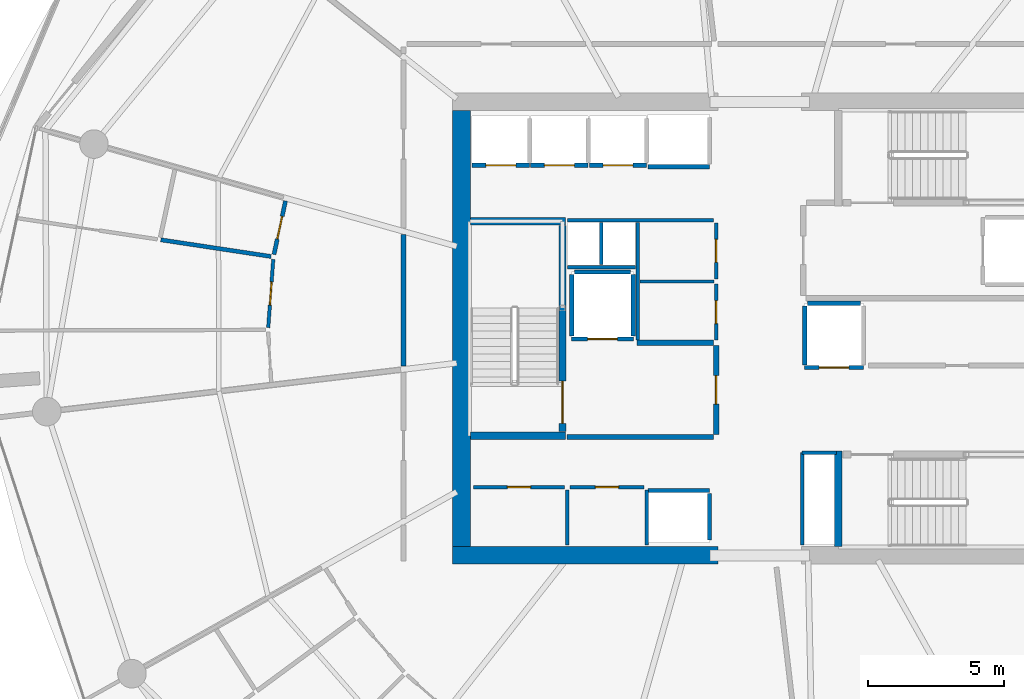
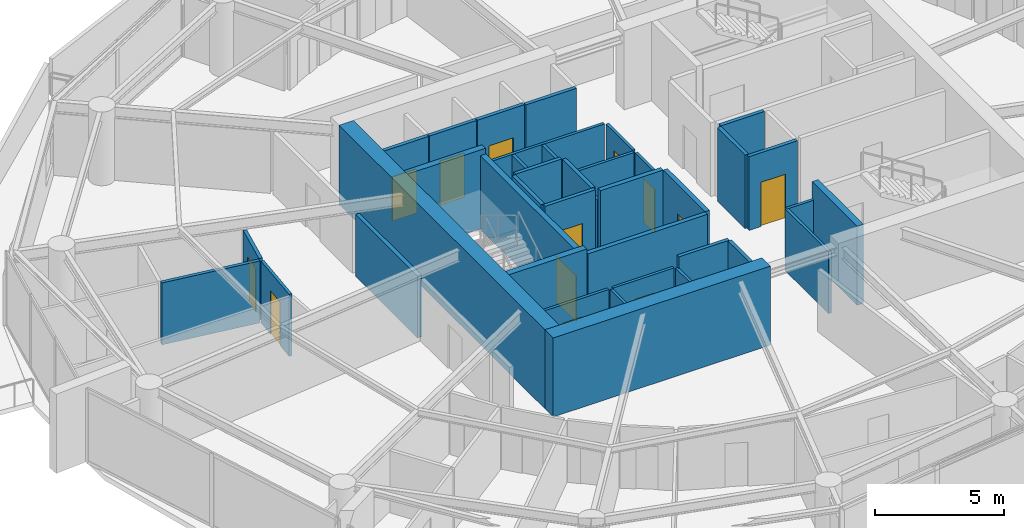
# One storey, part 12 of 20: 39 walls, 13 doors, 13 openings.
"""IFC4 building model written with IfcOpenShell, lengths in metres."""

from ifc_helpers import new_model, si_unit, direction, frame, frame_2d, origin, place, context, subcontext, project, spatial, rectangle, extrude, material, layer, layer_set, type_object, element, fill, save


model = new_model("IFC4")

# Units and contexts
model_context = context("Model", 3, precision=1e-05, world=origin(), true_north=direction((0.0, 1.0)))
body_context = subcontext(model_context, "Body", "Model", "MODEL_VIEW")
ifc_project = project(units=[si_unit("LENGTHUNIT", "METRE"), si_unit("AREAUNIT", "SQUARE_METRE"), si_unit("VOLUMEUNIT", "CUBIC_METRE"), si_unit("PLANEANGLEUNIT", "RADIAN"), si_unit("MASSUNIT", "GRAM", prefix="KILO")], contexts=[model_context])

# Site, building, storey
site_placement = place(None, origin())
site = spatial("IfcSite", under=ifc_project, at=site_placement, CompositionType="ELEMENT")
building_placement = place(site_placement, origin())
building = spatial("IfcBuilding", under=site, at=building_placement, Name="Kazma Halo Residences", CompositionType="ELEMENT")
storey_placement = place(building_placement, frame((0.0, 0.0, 210.300048828125)))
storey = spatial("IfcBuildingStorey", under=building, at=storey_placement, Name="L53", CompositionType="ELEMENT", Elevation=210.300048828125)

# Walls
ifc_material_1 = material(Name="Concrete C60/75", Category="concrete")
ifc_layer_1 = layer(ifc_material_1, 0.64990234375)
ifc_layer_set_1 = layer_set([ifc_layer_1], Name="Concrete C60/75")
wall_type_1 = type_object("IfcWallType", Name="WL-CORE-650", PredefinedType="SHEAR", material=ifc_layer_set_1)
wall_1_placement = place(storey_placement, frame((37.14990234375, 33.675048828125, 0.0), z_axis=(0.0, 0.0, 1.0), x_axis=(1.0, 0.0, 0.0)))
element("IfcWall", 1, at=wall_1_placement, inside=storey, type_object=wall_type_1, Name="L53 central core shear wall SW", PredefinedType="SHEAR", context=body_context, shape_type="SweptSolid", body=[
    extrude(rectangle(XDim=9.75, YDim=0.64990234375, at=frame_2d((4.875, 0.0))), origin(), (0.0, 0.0, 1.0), 3.75),
])
wall_2_placement = place(storey_placement, frame((37.47509765625, 34.0, 0.0), z_axis=(0.0, 0.0, 1.0), x_axis=(0.0, 1.0, 0.0)))
element("IfcWall", 2, at=wall_2_placement, inside=storey, type_object=wall_type_1, Name="L53 central core shear wall W", PredefinedType="SHEAR", context=body_context, shape_type="SweptSolid", body=[
    extrude(rectangle(XDim=16.0, YDim=0.64990234375, at=frame_2d((8.0, 0.0))), origin(), (0.0, 0.0, 1.0), 3.75),
])
ifc_layer_2 = layer(ifc_material_1, 0.280029296875)
ifc_layer_set_2 = layer_set([ifc_layer_2], Name="Concrete C60/75")
wall_type_2 = type_object("IfcWallType", Name="WL-CORE-ST-280", PredefinedType="SHEAR", material=ifc_layer_set_2)
for number, where, z_axis, x_axis, name in (
    (3, (37.800048828125, 38.06005859375, 0.0), (0.0, 0.0, 1.0), (1.0, 0.0, 0.0), "L53 stairwell bearing wall ST01-S"),
    (4, (37.800048828125, 45.93994140625, 0.0), (0.0, 0.0, 1.0), (1.0, 0.0, 0.0), "L53 stairwell bearing wall ST01-N"),
    (5, (51.31005859375, 34.0, 0.0), (0.0, 0.0, 1.0), (0.0, 1.0, 0.0), "L53 stairwell bearing wall ST03-W"),
):
    element("IfcWall", number, at=place(storey_placement, frame(where, z_axis=z_axis, x_axis=x_axis)), inside=storey, type_object=wall_type_2, Name=name, PredefinedType="SHEAR", context=body_context, shape_type="SweptSolid", body=[
        extrude(rectangle(XDim=3.5, YDim=0.280029296875, at=frame_2d((1.75, 0.0))), origin(), (0.0, 0.0, 1.0), 3.75),
    ])
ifc_material_2 = material(Name="Acoustic Twin-Stud Gypsum")
ifc_layer_3 = layer(ifc_material_2, 0.179931640625)
ifc_layer_set_3 = layer_set([ifc_layer_3], Name="Acoustic Twin-Stud Gypsum")
wall_type_3 = type_object("IfcWallType", Name="WL-DEM-180", PredefinedType="PARTITIONING", material=ifc_layer_set_3)
wall_3_placement = place(storey_placement, frame((35.35009765625, 45.44775390625, 0.0), z_axis=(0.0, 0.0, 1.0), x_axis=(0.0, -1.0, 0.0)))
element("IfcWall", 6, at=wall_3_placement, inside=storey, type_object=wall_type_3, Name="L53 Apartment 2 inner wall 6", PredefinedType="PARTITIONING", context=body_context, shape_type="SweptSolid", body=[
    extrude(rectangle(XDim=4.824951171875, YDim=0.179931640625, at=frame_2d((2.41259765625, 0.0))), origin(), (0.0, 0.0, 1.0), 2.93994140625),
])

# Wall, opening, door
ifc_material_3 = material(Name="Fire-Rated Blockwork Masonry", Category="masonry")
ifc_layer_4 = layer(ifc_material_3, 0.199951171875)
ifc_layer_set_4 = layer_set([ifc_layer_4], Name="Fire-Rated Blockwork Masonry")
wall_type_4 = type_object("IfcWallType", Name="WL-FLB-200", PredefinedType="PARTITIONING", material=ifc_layer_set_4)
wall_4_placement = place(storey_placement, frame((39.97509765625, 47.9951171875, 0.0), z_axis=(0.0, 0.0, 1.0), x_axis=(-1.0, 0.0, 0.0)))
wall_4 = element("IfcWall", 7, at=wall_4_placement, inside=storey, type_object=wall_type_4, Name="L53 lift shaft PM-01 front wall", PredefinedType="PARTITIONING", context=body_context, shape_type="SweptSolid", body=[
    extrude(rectangle(XDim=2.110107421875, YDim=0.159912109375, at=frame_2d((1.05517578125, 0.0))), origin(), (0.0, 0.0, 1.0), 3.5),
])
opening_1_placement = place(wall_4_placement, frame((0.5048828125, 0.0, 0.0)))
opening_1 = element("IfcOpeningElement", 8, at=opening_1_placement, cuts=wall_4, Name="Opening LD-PM-01", PredefinedType="OPENING", context=body_context, shape_type="SweptSolid", body=[
    extrude(rectangle(XDim=1.10009765625, YDim=2.10009765625, at=frame_2d((0.550048828125, 1.050048828125))), frame((0.0, 0.08984375, 0.0), z_axis=(0.0, -1.0, 0.0), x_axis=(1.0, 0.0, 0.0)), (0.0, 0.0, 1.0), 0.179931640625),
])
ifc_material_4 = material(Name="Stainless Steel Fire-Rated", Category="steel")
door_type_1 = type_object("IfcDoorType", Name="DR-LIFT-SLD-1100", OperationType="DOUBLE_DOOR_SLIDING", PredefinedType="DOOR", material=ifc_material_4)
door_1_placement = place(opening_1_placement, origin())
door_1 = element("IfcDoor", 9, at=door_1_placement, inside=storey, type_object=door_type_1, Name="L53 lift PM-01 sliding landing door", OperationType="DOUBLE_DOOR_SLIDING", OverallHeight=2.10009765625, OverallWidth=1.10009765625, PredefinedType="DOOR", context=body_context, shape_type="SweptSolid", body=[
    extrude(rectangle(XDim=1.10009765625, YDim=2.10009765625, at=frame_2d((0.550048828125, 1.050048828125))), frame((0.0, 0.02490234375, 0.0), z_axis=(0.0, -1.0, 0.0), x_axis=(1.0, 0.0, 0.0)), (0.0, 0.0, 1.0), 0.050048828125),
])
fill(opening_1, door_1)

wall_5_placement = place(storey_placement, frame((42.125, 47.9951171875, 0.0), z_axis=(0.0, 0.0, 1.0), x_axis=(-1.0, 0.0, 0.0)))
wall_5 = element("IfcWall", 10, at=wall_5_placement, inside=storey, type_object=wall_type_4, Name="L53 lift shaft PM-02 front wall", PredefinedType="PARTITIONING", context=body_context, shape_type="SweptSolid", body=[
    extrude(rectangle(XDim=2.110107421875, YDim=0.159912109375, at=frame_2d((1.05517578125, 0.0))), origin(), (0.0, 0.0, 1.0), 3.5),
])
opening_2_placement = place(wall_5_placement, frame((0.5048828125, 0.0, 0.0)))
opening_2 = element("IfcOpeningElement", 11, at=opening_2_placement, cuts=wall_5, Name="Opening LD-PM-02", PredefinedType="OPENING", context=body_context, shape_type="SweptSolid", body=[
    extrude(rectangle(XDim=1.10009765625, YDim=2.10009765625, at=frame_2d((0.550048828125, 1.050048828125))), frame((0.0, 0.08984375, 0.0), z_axis=(0.0, -1.0, 0.0), x_axis=(1.0, 0.0, 0.0)), (0.0, 0.0, 1.0), 0.179931640625),
])
door_2_placement = place(opening_2_placement, origin())
door_2 = element("IfcDoor", 12, at=door_2_placement, inside=storey, type_object=door_type_1, Name="L53 lift PM-02 sliding landing door", OperationType="DOUBLE_DOOR_SLIDING", OverallHeight=2.10009765625, OverallWidth=1.10009765625, PredefinedType="DOOR", context=body_context, shape_type="SweptSolid", body=[
    extrude(rectangle(XDim=1.10009765625, YDim=2.10009765625, at=frame_2d((0.550048828125, 1.050048828125))), frame((0.0, 0.02490234375, 0.0), z_axis=(0.0, -1.0, 0.0), x_axis=(1.0, 0.0, 0.0)), (0.0, 0.0, 1.0), 0.050048828125),
])
fill(opening_2, door_2)

wall_6_placement = place(storey_placement, frame((44.27490234375, 47.9951171875, 0.0), z_axis=(0.0, 0.0, 1.0), x_axis=(-1.0, 0.0, 0.0)))
wall_6 = element("IfcWall", 13, at=wall_6_placement, inside=storey, type_object=wall_type_4, Name="L53 lift shaft PM-03 front wall", PredefinedType="PARTITIONING", context=body_context, shape_type="SweptSolid", body=[
    extrude(rectangle(XDim=2.10986328125, YDim=0.159912109375, at=frame_2d((1.054931640625, 0.0))), origin(), (0.0, 0.0, 1.0), 3.5),
])
opening_3_placement = place(wall_6_placement, frame((0.5048828125, 0.0, 0.0)))
opening_3 = element("IfcOpeningElement", 14, at=opening_3_placement, cuts=wall_6, Name="Opening LD-PM-03", PredefinedType="OPENING", context=body_context, shape_type="SweptSolid", body=[
    extrude(rectangle(XDim=1.10009765625, YDim=2.10009765625, at=frame_2d((0.550048828125, 1.050048828125))), frame((0.0, 0.08984375, 0.0), z_axis=(0.0, -1.0, 0.0), x_axis=(1.0, 0.0, 0.0)), (0.0, 0.0, 1.0), 0.179931640625),
])
door_3_placement = place(opening_3_placement, origin())
door_3 = element("IfcDoor", 15, at=door_3_placement, inside=storey, type_object=door_type_1, Name="L53 lift PM-03 sliding landing door", OperationType="DOUBLE_DOOR_SLIDING", OverallHeight=2.10009765625, OverallWidth=1.10009765625, PredefinedType="DOOR", context=body_context, shape_type="SweptSolid", body=[
    extrude(rectangle(XDim=1.10009765625, YDim=2.10009765625, at=frame_2d((0.550048828125, 1.050048828125))), frame((0.0, 0.02490234375, 0.0), z_axis=(0.0, -1.0, 0.0), x_axis=(1.0, 0.0, 0.0)), (0.0, 0.0, 1.0), 0.050048828125),
])
fill(opening_3, door_3)

# Walls
for number, where, z_axis, x_axis, name in (
    (16, (46.580078125, 47.945068359375, 0.0), (0.0, 0.0, 1.0), (-1.0, 0.0, 0.0), "L53 lift shaft PX-01 front wall"),
    (17, (44.320068359375, 36.054931640625, 0.0), (0.0, 0.0, 1.0), (1.0, 0.0, 0.0), "L53 lift shaft PX-02 front wall"),
):
    element("IfcWall", number, at=place(storey_placement, frame(where, z_axis=z_axis, x_axis=x_axis)), inside=storey, type_object=wall_type_4, Name=name, PredefinedType="PARTITIONING", context=body_context, shape_type="SweptSolid", body=[
        extrude(rectangle(XDim=2.260009765625, YDim=0.159912109375, at=frame_2d((1.1298828125, 0.0))), origin(), (0.0, 0.0, 1.0), 3.5),
    ])
wall_7_placement = place(storey_placement, frame((46.580078125, 34.2451171875, 0.0), z_axis=(0.0, 0.0, 1.0), x_axis=(0.0, 1.0, 0.0)))
element("IfcWall", 18, at=wall_7_placement, inside=storey, type_object=wall_type_4, Name="L53 lift shaft PX-02 side wall E", PredefinedType="PARTITIONING", context=body_context, shape_type="SweptSolid", body=[
    extrude(rectangle(XDim=1.7099609375, YDim=0.159912109375, at=frame_2d((0.85498046875, 0.0))), origin(), (0.0, 0.0, 1.0), 3.5),
])

# Wall, opening, door
wall_8_placement = place(storey_placement, frame((43.780029296875, 41.6201171875, 0.0), z_axis=(0.0, 0.0, 1.0), x_axis=(-1.0, 0.0, 0.0)))
wall_8 = element("IfcWall", 19, at=wall_8_placement, inside=storey, type_object=wall_type_4, Name="L53 lift shaft FL-01 front wall", PredefinedType="PARTITIONING", context=body_context, shape_type="SweptSolid", body=[
    extrude(rectangle(XDim=2.260009765625, YDim=0.159912109375, at=frame_2d((1.1298828125, 0.0))), origin(), (0.0, 0.0, 1.0), 3.5),
])
opening_4_placement = place(wall_8_placement, frame((0.580078125, 0.0, 0.0)))
opening_4 = element("IfcOpeningElement", 20, at=opening_4_placement, cuts=wall_8, Name="Opening LD-FL-01", PredefinedType="OPENING", context=body_context, shape_type="SweptSolid", body=[
    extrude(rectangle(XDim=1.10009765625, YDim=2.10009765625, at=frame_2d((0.550048828125, 1.050048828125))), frame((0.0, 0.08984375, 0.0), z_axis=(0.0, -1.0, 0.0), x_axis=(1.0, 0.0, 0.0)), (0.0, 0.0, 1.0), 0.179931640625),
])
door_4_placement = place(opening_4_placement, origin())
door_4 = element("IfcDoor", 21, at=door_4_placement, inside=storey, type_object=door_type_1, Name="L53 lift FL-01 sliding landing door", OperationType="DOUBLE_DOOR_SLIDING", OverallHeight=2.10009765625, OverallWidth=1.10009765625, PredefinedType="DOOR", context=body_context, shape_type="SweptSolid", body=[
    extrude(rectangle(XDim=1.10009765625, YDim=2.10009765625, at=frame_2d((0.550048828125, 1.050048828125))), frame((0.0, 0.02490234375, 0.0), z_axis=(0.0, -1.0, 0.0), x_axis=(1.0, 0.0, 0.0)), (0.0, 0.0, 1.0), 0.050048828125),
])
fill(opening_4, door_4)

# Walls
for number, where, z_axis, x_axis, name in (
    (22, (43.780029296875, 41.719970703125, 0.0), (0.0, 0.0, 1.0), (0.0, 1.0, 0.0), "L53 lift shaft FL-01 side wall E"),
    (23, (41.52001953125, 41.719970703125, 0.0), (0.0, 0.0, 1.0), (0.0, 1.0, 0.0), "L53 lift shaft FL-01 side wall W"),
):
    element("IfcWall", number, at=place(storey_placement, frame(where, z_axis=z_axis, x_axis=x_axis)), inside=storey, type_object=wall_type_4, Name=name, PredefinedType="PARTITIONING", context=body_context, shape_type="SweptSolid", body=[
        extrude(rectangle(XDim=2.260009765625, YDim=0.159912109375, at=frame_2d((1.1298828125, 0.0))), origin(), (0.0, 0.0, 1.0), 3.5),
    ])
wall_9_placement = place(storey_placement, frame((41.6201171875, 44.080078125, 0.0), z_axis=(0.0, 0.0, 1.0), x_axis=(1.0, 0.0, 0.0)))
element("IfcWall", 24, at=wall_9_placement, inside=storey, type_object=wall_type_4, Name="L53 lift shaft FL-01 side wall N", PredefinedType="PARTITIONING", context=body_context, shape_type="SweptSolid", body=[
    extrude(rectangle(XDim=2.059814453125, YDim=0.159912109375, at=frame_2d((1.02978515625, 0.0))), origin(), (0.0, 0.0, 1.0), 3.5),
])

# Wall, opening, door
wall_10_placement = place(storey_placement, frame((52.22998046875, 40.570068359375, 0.0), z_axis=(0.0, 0.0, 1.0), x_axis=(-1.0, 0.0, 0.0)))
wall_10 = element("IfcWall", 25, at=wall_10_placement, inside=storey, type_object=wall_type_4, Name="L53 lift shaft SV-01 front wall", PredefinedType="PARTITIONING", context=body_context, shape_type="SweptSolid", body=[
    extrude(rectangle(XDim=2.159912109375, YDim=0.159912109375, at=frame_2d((1.080078125, 0.0))), origin(), (0.0, 0.0, 1.0), 3.5),
])
opening_5_placement = place(wall_10_placement, frame((0.530029296875, 0.0, 0.0)))
opening_5 = element("IfcOpeningElement", 26, at=opening_5_placement, cuts=wall_10, Name="Opening LD-SV-01", PredefinedType="OPENING", context=body_context, shape_type="SweptSolid", body=[
    extrude(rectangle(XDim=1.10009765625, YDim=2.10009765625, at=frame_2d((0.550048828125, 1.050048828125))), frame((0.0, 0.08984375, 0.0), z_axis=(0.0, -1.0, 0.0), x_axis=(1.0, 0.0, 0.0)), (0.0, 0.0, 1.0), 0.179931640625),
])
door_5_placement = place(opening_5_placement, origin())
door_5 = element("IfcDoor", 27, at=door_5_placement, inside=storey, type_object=door_type_1, Name="L53 lift SV-01 sliding landing door", OperationType="DOUBLE_DOOR_SLIDING", OverallHeight=2.10009765625, OverallWidth=1.10009765625, PredefinedType="DOOR", context=body_context, shape_type="SweptSolid", body=[
    extrude(rectangle(XDim=1.10009765625, YDim=2.10009765625, at=frame_2d((0.550048828125, 1.050048828125))), frame((0.0, 0.02490234375, 0.0), z_axis=(0.0, -1.0, 0.0), x_axis=(1.0, 0.0, 0.0)), (0.0, 0.0, 1.0), 0.050048828125),
])
fill(opening_5, door_5)

# Walls
wall_11_placement = place(storey_placement, frame((50.070068359375, 40.669921875, 0.0), z_axis=(0.0, 0.0, 1.0), x_axis=(0.0, 1.0, 0.0)))
element("IfcWall", 28, at=wall_11_placement, inside=storey, type_object=wall_type_4, Name="L53 lift shaft SV-01 side wall W", PredefinedType="PARTITIONING", context=body_context, shape_type="SweptSolid", body=[
    extrude(rectangle(XDim=2.16015625, YDim=0.159912109375, at=frame_2d((1.080078125, 0.0))), origin(), (0.0, 0.0, 1.0), 3.5),
])
wall_12_placement = place(storey_placement, frame((50.169921875, 42.929931640625, 0.0), z_axis=(0.0, 0.0, 1.0), x_axis=(1.0, 0.0, 0.0)))
element("IfcWall", 29, at=wall_12_placement, inside=storey, type_object=wall_type_4, Name="L53 lift shaft SV-01 side wall N", PredefinedType="PARTITIONING", context=body_context, shape_type="SweptSolid", body=[
    extrude(rectangle(XDim=1.9599609375, YDim=0.159912109375, at=frame_2d((0.97998046875, 0.0))), origin(), (0.0, 0.0, 1.0), 3.5),
])
wall_13_placement = place(storey_placement, frame((41.35009765625, 38.02001953125, 0.0), z_axis=(0.0, 0.0, 1.0), x_axis=(1.0, 0.0, 0.0)))
element("IfcWall", 30, at=wall_13_placement, inside=storey, type_object=wall_type_4, Name="L53 west firefighting lobby south smoke wall", PredefinedType="PARTITIONING", context=body_context, shape_type="SweptSolid", body=[
    extrude(rectangle(XDim=5.369873046875, YDim=0.199951171875, at=frame_2d((2.68505859375, 0.0))), origin(), (0.0, 0.0, 1.0), 3.5),
])
wall_14_placement = place(storey_placement, frame((43.919921875, 41.47998046875, 0.0), z_axis=(0.0, 0.0, 1.0), x_axis=(1.0, 0.0, 0.0)))
element("IfcWall", 31, at=wall_14_placement, inside=storey, type_object=wall_type_4, Name="L53 west firefighting lobby north smoke wall", PredefinedType="PARTITIONING", context=body_context, shape_type="SweptSolid", body=[
    extrude(rectangle(XDim=2.800048828125, YDim=0.199951171875, at=frame_2d((1.39990234375, 0.0))), origin(), (0.0, 0.0, 1.0), 3.5),
])

# Wall, opening, door
wall_15_placement = place(storey_placement, frame((46.820068359375, 38.1201171875, 0.0), z_axis=(0.0, 0.0, 1.0), x_axis=(0.0, 1.0, 0.0)))
wall_15 = element("IfcWall", 32, at=wall_15_placement, inside=storey, type_object=wall_type_4, Name="L53 west firefighting lobby smoke wall", PredefinedType="PARTITIONING", context=body_context, shape_type="SweptSolid", body=[
    extrude(rectangle(XDim=3.259765625, YDim=0.199951171875, at=frame_2d((1.6298828125, 0.0))), origin(), (0.0, 0.0, 1.0), 3.5),
])
opening_6_placement = place(wall_15_placement, frame((1.10498046875, 0.0, 0.0)))
opening_6 = element("IfcOpeningElement", 33, at=opening_6_placement, cuts=wall_15, Name="Opening D-FLW", PredefinedType="OPENING", context=body_context, shape_type="SweptSolid", body=[
    extrude(rectangle(XDim=1.050048828125, YDim=2.10009765625, at=frame_2d((0.52490234375, 1.050048828125))), frame((0.0, 0.10986328125, 0.0), z_axis=(0.0, -1.0, 0.0), x_axis=(1.0, 0.0, 0.0)), (0.0, 0.0, 1.0), 0.219970703125),
])
ifc_material_5 = material(Name="Fire-Rated Steel Leaf", Category="steel")
door_type_2 = type_object("IfcDoorType", Name="DR-FD90-1050", OperationType="NOTDEFINED", PredefinedType="DOOR", material=ifc_material_5)
door_6_placement = place(opening_6_placement, origin())
door_6 = element("IfcDoor", 34, at=door_6_placement, inside=storey, type_object=door_type_2, Name="L53 west firefighting lobby smoke door", OperationType="SINGLE_SWING_RIGHT", OverallHeight=2.10009765625, OverallWidth=1.050048828125, PredefinedType="DOOR", context=body_context, shape_type="SweptSolid", body=[
    extrude(rectangle(XDim=1.050048828125, YDim=2.10009765625, at=frame_2d((0.52490234375, 1.050048828125))), frame((0.0, 0.02490234375, 0.0), z_axis=(0.0, -1.0, 0.0), x_axis=(1.0, 0.0, 0.0)), (0.0, 0.0, 1.0), 0.050048828125),
])
fill(opening_6, door_6)

# Walls
ifc_material_6 = material(Name="Gypsum Plasterboard Partition")
ifc_layer_5 = layer(ifc_material_6, 0.125)
ifc_layer_set_5 = layer_set([ifc_layer_5], Name="Gypsum Plasterboard Partition")
wall_type_5 = type_object("IfcWallType", Name="WL-PART-125", PredefinedType="PARTITIONING", material=ifc_layer_set_5)
for number, where, z_axis, x_axis, name in (
    (35, (44.280029296875, 34.050048828125, 0.0), (0.0, 0.0, 1.0), (0.0, 1.0, 0.0), "L53 reclaimed south east wall"),
    (36, (41.35009765625, 34.050048828125, 0.0), (0.0, 0.0, 1.0), (0.0, 1.0, 0.0), "L53 reclaimed south divider wall"),
):
    element("IfcWall", number, at=place(storey_placement, frame(where, z_axis=z_axis, x_axis=x_axis)), inside=storey, type_object=wall_type_5, Name=name, PredefinedType="PARTITIONING", context=body_context, shape_type="SweptSolid", body=[
        extrude(rectangle(XDim=2.030029296875, YDim=0.125, at=frame_2d((1.01513671875, 0.0))), origin(), (0.0, 0.0, 1.0), 2.93994140625),
    ])

# Wall, opening, door
wall_16_placement = place(storey_placement, frame((37.919921875, 36.179931640625, 0.0), z_axis=(0.0, 0.0, 1.0), x_axis=(1.0, 0.0, 0.0)))
wall_16 = element("IfcWall", 37, at=wall_16_placement, inside=storey, type_object=wall_type_5, Name="L53 reclaimed south W front wall", PredefinedType="PARTITIONING", context=body_context, shape_type="SweptSolid", body=[
    extrude(rectangle(XDim=3.330078125, YDim=0.125, at=frame_2d((1.6650390625, 0.0))), origin(), (0.0, 0.0, 1.0), 2.93994140625),
])
opening_7_placement = place(wall_16_placement, frame((1.239990234375, 0.0, 0.0)))
opening_7 = element("IfcOpeningElement", 38, at=opening_7_placement, cuts=wall_16, Name="Opening DS-850", PredefinedType="OPENING", context=body_context, shape_type="SweptSolid", body=[
    extrude(rectangle(XDim=0.85009765625, YDim=2.06005859375, at=frame_2d((0.425048828125, 1.030029296875))), frame((0.0, 0.072509765625, 0.0), z_axis=(0.0, -1.0, 0.0), x_axis=(1.0, 0.0, 0.0)), (0.0, 0.0, 1.0), 0.14501953125),
])
ifc_material_7 = material(Name="Painted Steel Access Leaf", Category="steel")
door_type_3 = type_object("IfcDoorType", Name="DR-SVC-850", OperationType="NOTDEFINED", PredefinedType="DOOR", material=ifc_material_7)
door_7_placement = place(opening_7_placement, origin())
door_7 = element("IfcDoor", 39, at=door_7_placement, inside=storey, type_object=door_type_3, Name="L53 reclaimed south W door", OperationType="SINGLE_SWING_RIGHT", OverallHeight=2.06005859375, OverallWidth=0.85009765625, PredefinedType="DOOR", context=body_context, shape_type="SweptSolid", body=[
    extrude(rectangle(XDim=0.85009765625, YDim=2.06005859375, at=frame_2d((0.425048828125, 1.030029296875))), frame((0.0, 0.02490234375, 0.0), z_axis=(0.0, -1.0, 0.0), x_axis=(1.0, 0.0, 0.0)), (0.0, 0.0, 1.0), 0.050048828125),
])
fill(opening_7, door_7)

wall_17_placement = place(storey_placement, frame((41.449951171875, 36.179931640625, 0.0), z_axis=(0.0, 0.0, 1.0), x_axis=(1.0, 0.0, 0.0)))
wall_17 = element("IfcWall", 40, at=wall_17_placement, inside=storey, type_object=wall_type_5, Name="L53 reclaimed south E front wall", PredefinedType="PARTITIONING", context=body_context, shape_type="SweptSolid", body=[
    extrude(rectangle(XDim=2.72998046875, YDim=0.125, at=frame_2d((1.364990234375, 0.0))), origin(), (0.0, 0.0, 1.0), 2.93994140625),
])
opening_8_placement = place(wall_17_placement, frame((0.93994140625, 0.0, 0.0)))
opening_8 = element("IfcOpeningElement", 41, at=opening_8_placement, cuts=wall_17, Name="Opening DS-850", PredefinedType="OPENING", context=body_context, shape_type="SweptSolid", body=[
    extrude(rectangle(XDim=0.85009765625, YDim=2.06005859375, at=frame_2d((0.425048828125, 1.030029296875))), frame((0.0, 0.072509765625, 0.0), z_axis=(0.0, -1.0, 0.0), x_axis=(1.0, 0.0, 0.0)), (0.0, 0.0, 1.0), 0.14501953125),
])
door_8_placement = place(opening_8_placement, origin())
door_8 = element("IfcDoor", 42, at=door_8_placement, inside=storey, type_object=door_type_3, Name="L53 reclaimed south E door", OperationType="SINGLE_SWING_LEFT", OverallHeight=2.06005859375, OverallWidth=0.85009765625, PredefinedType="DOOR", context=body_context, shape_type="SweptSolid", body=[
    extrude(rectangle(XDim=0.85009765625, YDim=2.06005859375, at=frame_2d((0.425048828125, 1.030029296875))), frame((0.0, 0.02490234375, 0.0), z_axis=(0.0, -1.0, 0.0), x_axis=(1.0, 0.0, 0.0)), (0.0, 0.0, 1.0), 0.050048828125),
])
fill(opening_8, door_8)

# Walls
wall_18_placement = place(storey_placement, frame((41.360107421875, 45.97998046875, 0.0), z_axis=(0.0, 0.0, 1.0), x_axis=(1.0, 0.0, 0.0)))
element("IfcWall", 43, at=wall_18_placement, inside=storey, type_object=wall_type_5, Name="L53 core north riser wall", PredefinedType="PARTITIONING", context=body_context, shape_type="SweptSolid", body=[
    extrude(rectangle(XDim=5.35986328125, YDim=0.125, at=frame_2d((2.679931640625, 0.0))), origin(), (0.0, 0.0, 1.0), 2.93994140625),
])
wall_19_placement = place(storey_placement, frame((41.360107421875, 44.260009765625, 0.0), z_axis=(0.0, 0.0, 1.0), x_axis=(1.0, 0.0, 0.0)))
element("IfcWall", 44, at=wall_19_placement, inside=storey, type_object=wall_type_5, Name="L53 core riser south wall", PredefinedType="PARTITIONING", context=body_context, shape_type="SweptSolid", body=[
    extrude(rectangle(XDim=2.5, YDim=0.125, at=frame_2d((1.25, 0.0))), origin(), (0.0, 0.0, 1.0), 2.93994140625),
])
wall_20_placement = place(storey_placement, frame((42.60009765625, 44.35009765625, 0.0), z_axis=(0.0, 0.0, 1.0), x_axis=(0.0, 1.0, 0.0)))
element("IfcWall", 45, at=wall_20_placement, inside=storey, type_object=wall_type_5, Name="L53 core riser divider wall", PredefinedType="PARTITIONING", context=body_context, shape_type="SweptSolid", body=[
    extrude(rectangle(XDim=1.5498046875, YDim=0.125, at=frame_2d((0.77490234375, 0.0))), origin(), (0.0, 0.0, 1.0), 2.93994140625),
])
wall_21_placement = place(storey_placement, frame((49.97998046875, 34.06005859375, 0.0), z_axis=(0.0, 0.0, 1.0), x_axis=(0.0, 1.0, 0.0)))
element("IfcWall", 46, at=wall_21_placement, inside=storey, type_object=wall_type_5, Name="L53 standpipe riser wall", PredefinedType="PARTITIONING", context=body_context, shape_type="SweptSolid", body=[
    extrude(rectangle(XDim=3.39990234375, YDim=0.125, at=frame_2d((1.699951171875, 0.0))), origin(), (0.0, 0.0, 1.0), 2.93994140625),
])
wall_22_placement = place(storey_placement, frame((49.97998046875, 37.43994140625, 0.0), z_axis=(0.0, 0.0, 1.0), x_axis=(1.0, 0.0, 0.0)))
element("IfcWall", 47, at=wall_22_placement, inside=storey, type_object=wall_type_5, Name="L53 standpipe riser north wall", PredefinedType="PARTITIONING", context=body_context, shape_type="SweptSolid", body=[
    extrude(rectangle(XDim=1.260009765625, YDim=0.125, at=frame_2d((0.6298828125, 0.0))), origin(), (0.0, 0.0, 1.0), 2.93994140625),
])
wall_23_placement = place(storey_placement, frame((43.949951171875, 41.580078125, 0.0), z_axis=(0.0, 0.0, 1.0), x_axis=(0.0, 1.0, 0.0)))
element("IfcWall", 48, at=wall_23_placement, inside=storey, type_object=wall_type_5, Name="L53 core service west wall", PredefinedType="PARTITIONING", context=body_context, shape_type="SweptSolid", body=[
    extrude(rectangle(XDim=4.31982421875, YDim=0.125, at=frame_2d((2.159912109375, 0.0))), origin(), (0.0, 0.0, 1.0), 2.93994140625),
])
wall_24_placement = place(storey_placement, frame((44.030029296875, 43.72998046875, 0.0), z_axis=(0.0, 0.0, 1.0), x_axis=(1.0, 0.0, 0.0)))
element("IfcWall", 49, at=wall_24_placement, inside=storey, type_object=wall_type_5, Name="L53 switch/IDF divider", PredefinedType="PARTITIONING", context=body_context, shape_type="SweptSolid", body=[
    extrude(rectangle(XDim=2.7099609375, YDim=0.125, at=frame_2d((1.35498046875, 0.0))), origin(), (0.0, 0.0, 1.0), 2.93994140625),
])

# Wall, opening, door
wall_25_placement = place(storey_placement, frame((46.820068359375, 41.580078125, 0.0), z_axis=(0.0, 0.0, 1.0), x_axis=(0.0, 1.0, 0.0)))
wall_25 = element("IfcWall", 50, at=wall_25_placement, inside=storey, type_object=wall_type_5, Name="L53 electrical switch room east wall", PredefinedType="PARTITIONING", context=body_context, shape_type="SweptSolid", body=[
    extrude(rectangle(XDim=2.0498046875, YDim=0.125, at=frame_2d((1.02490234375, 0.0))), origin(), (0.0, 0.0, 1.0), 2.93994140625),
])
opening_9_placement = place(wall_25_placement, frame((0.60009765625, 0.0, 0.0)))
opening_9 = element("IfcOpeningElement", 51, at=opening_9_placement, cuts=wall_25, Name="Opening DS-850", PredefinedType="OPENING", context=body_context, shape_type="SweptSolid", body=[
    extrude(rectangle(XDim=0.85009765625, YDim=2.06005859375, at=frame_2d((0.425048828125, 1.030029296875))), frame((0.0, 0.072509765625, 0.0), z_axis=(0.0, -1.0, 0.0), x_axis=(1.0, 0.0, 0.0)), (0.0, 0.0, 1.0), 0.14501953125),
])
door_9_placement = place(opening_9_placement, origin())
door_9 = element("IfcDoor", 52, at=door_9_placement, inside=storey, type_object=door_type_3, Name="L53 electrical switch room door", OperationType="SINGLE_SWING_RIGHT", OverallHeight=2.06005859375, OverallWidth=0.85009765625, PredefinedType="DOOR", context=body_context, shape_type="SweptSolid", body=[
    extrude(rectangle(XDim=0.85009765625, YDim=2.06005859375, at=frame_2d((0.425048828125, 1.030029296875))), frame((0.0, 0.02490234375, 0.0), z_axis=(0.0, -1.0, 0.0), x_axis=(1.0, 0.0, 0.0)), (0.0, 0.0, 1.0), 0.050048828125),
])
fill(opening_9, door_9)

wall_26_placement = place(storey_placement, frame((46.820068359375, 43.830078125, 0.0), z_axis=(0.0, 0.0, 1.0), x_axis=(0.0, 1.0, 0.0)))
wall_26 = element("IfcWall", 53, at=wall_26_placement, inside=storey, type_object=wall_type_5, Name="L53 telecom IDF room east wall", PredefinedType="PARTITIONING", context=body_context, shape_type="SweptSolid", body=[
    extrude(rectangle(XDim=2.0498046875, YDim=0.125, at=frame_2d((1.02490234375, 0.0))), origin(), (0.0, 0.0, 1.0), 2.93994140625),
])
opening_10_placement = place(wall_26_placement, frame((0.60009765625, 0.0, 0.0)))
opening_10 = element("IfcOpeningElement", 54, at=opening_10_placement, cuts=wall_26, Name="Opening DS-850", PredefinedType="OPENING", context=body_context, shape_type="SweptSolid", body=[
    extrude(rectangle(XDim=0.85009765625, YDim=2.06005859375, at=frame_2d((0.425048828125, 1.030029296875))), frame((0.0, 0.072509765625, 0.0), z_axis=(0.0, -1.0, 0.0), x_axis=(1.0, 0.0, 0.0)), (0.0, 0.0, 1.0), 0.14501953125),
])
door_10_placement = place(opening_10_placement, origin())
door_10 = element("IfcDoor", 55, at=door_10_placement, inside=storey, type_object=door_type_3, Name="L53 telecom IDF room door", OperationType="SINGLE_SWING_LEFT", OverallHeight=2.06005859375, OverallWidth=0.85009765625, PredefinedType="DOOR", context=body_context, shape_type="SweptSolid", body=[
    extrude(rectangle(XDim=0.85009765625, YDim=2.06005859375, at=frame_2d((0.425048828125, 1.030029296875))), frame((0.0, 0.02490234375, 0.0), z_axis=(0.0, -1.0, 0.0), x_axis=(1.0, 0.0, 0.0)), (0.0, 0.0, 1.0), 0.050048828125),
])
fill(opening_10, door_10)

wall_27_placement = place(storey_placement, frame((30.5634765625, 44.544677734375, 0.0), z_axis=(0.0, 0.0, 1.0), x_axis=(-0.073678850495, -0.997282019787, 0.0)))
wall_27 = element("IfcWall", 56, at=wall_27_placement, inside=storey, type_object=wall_type_5, Name="L53 Apartment 2 Gourmet Kitchen hall wall", PredefinedType="PARTITIONING", context=body_context, shape_type="SweptSolid", body=[
    extrude(rectangle(XDim=2.518310546875, YDim=0.125, at=frame_2d((1.25927734375, 0.0))), origin(), (0.0, 0.0, 1.0), 2.93994140625),
])
opening_11_placement = place(wall_27_placement, frame((0.834228515625, 0.0, 0.0)))
opening_11 = element("IfcOpeningElement", 57, at=opening_11_placement, cuts=wall_27, Name="Opening DB-900", PredefinedType="OPENING", context=body_context, shape_type="SweptSolid", body=[
    extrude(rectangle(XDim=0.85009765625, YDim=2.06005859375, at=frame_2d((0.425048828125, 1.030029296875))), frame((0.0, 0.072509765625, 0.0), z_axis=(0.0, -1.0, 0.0), x_axis=(1.0, 0.0, 0.0)), (0.0, 0.0, 1.0), 0.14501953125),
])
ifc_material_8 = material(Name="Moisture-Sealed Timber Leaf", Category="wood")
door_type_4 = type_object("IfcDoorType", Name="DR-BTH-900", OperationType="NOTDEFINED", PredefinedType="DOOR", material=ifc_material_8)
door_11_placement = place(opening_11_placement, origin())
door_11 = element("IfcDoor", 58, at=door_11_placement, inside=storey, type_object=door_type_4, Name="L53 Apartment 2 Gourmet Kitchen door", OperationType="SINGLE_SWING_RIGHT", OverallHeight=2.06005859375, OverallWidth=0.85009765625, PredefinedType="DOOR", context=body_context, shape_type="SweptSolid", body=[
    extrude(rectangle(XDim=0.85009765625, YDim=2.06005859375, at=frame_2d((0.425048828125, 1.030029296875))), frame((0.0, 0.02490234375, 0.0), z_axis=(0.0, -1.0, 0.0), x_axis=(1.0, 0.0, 0.0)), (0.0, 0.0, 1.0), 0.050048828125),
])
fill(opening_11, door_11)

ifc_material_9 = material(Name="Concrete C50/60", Category="concrete")
ifc_layer_6 = layer(ifc_material_9, 0.25)
ifc_layer_set_6 = layer_set([ifc_layer_6], Name="Concrete C50/60")
wall_type_6 = type_object("IfcWallType", Name="WL-SHF-250", PredefinedType="SOLIDWALL", material=ifc_layer_set_6)
wall_28_placement = place(storey_placement, frame((41.179931640625, 38.219970703125, 0.0), z_axis=(0.0, 0.0, 1.0), x_axis=(0.0, 1.0, 0.0)))
wall_28 = element("IfcWall", 59, at=wall_28_placement, inside=storey, type_object=wall_type_6, Name="L53 exit stair ST-01 enclosure wall", PredefinedType="SOLIDWALL", context=body_context, shape_type="SweptSolid", body=[
    extrude(rectangle(XDim=7.56005859375, YDim=0.25, at=frame_2d((3.780029296875, 0.0))), origin(), (0.0, 0.0, 1.0), 3.5),
])
opening_12_placement = place(wall_28_placement, frame((0.300048828125, 0.0, 0.0)))
opening_12 = element("IfcOpeningElement", 60, at=opening_12_placement, cuts=wall_28, Name="Opening D-ST1", PredefinedType="OPENING", context=body_context, shape_type="SweptSolid", body=[
    extrude(rectangle(XDim=1.550048828125, YDim=2.14990234375, at=frame_2d((0.77490234375, 1.074951171875))), frame((0.0, 0.135009765625, 0.0), z_axis=(0.0, -1.0, 0.0), x_axis=(1.0, 0.0, 0.0)), (0.0, 0.0, 1.0), 0.27001953125),
])
ifc_material_10 = material(Name="Fire-Rated Double Steel Leaf", Category="steel")
door_type_5 = type_object("IfcDoorType", Name="DR-FD90-1550", OperationType="NOTDEFINED", PredefinedType="DOOR", material=ifc_material_10)
door_12_placement = place(opening_12_placement, origin())
door_12 = element("IfcDoor", 61, at=door_12_placement, inside=storey, type_object=door_type_5, Name="L53 exit stair ST-01 fire door", OperationType="DOUBLE_DOOR_SINGLE_SWING", OverallHeight=2.14990234375, OverallWidth=1.550048828125, PredefinedType="DOOR", context=body_context, shape_type="SweptSolid", body=[
    extrude(rectangle(XDim=1.550048828125, YDim=2.14990234375, at=frame_2d((0.77490234375, 1.074951171875))), frame((0.0, 0.02490234375, 0.0), z_axis=(0.0, -1.0, 0.0), x_axis=(1.0, 0.0, 0.0)), (0.0, 0.0, 1.0), 0.050048828125),
])
fill(opening_12, door_12)

ifc_material_11 = material(Name="Moisture-Resistant Gypsum")
ifc_layer_7 = layer(ifc_material_11, 0.14990234375)
ifc_layer_set_7 = layer_set([ifc_layer_7], Name="Moisture-Resistant Gypsum")
wall_type_7 = type_object("IfcWallType", Name="WL-WET-150", PredefinedType="PARTITIONING", material=ifc_layer_set_7)
wall_29_placement = place(storey_placement, frame((31.0126953125, 46.687255859375, 0.0), z_axis=(0.0, 0.0, 1.0), x_axis=(-0.210740012814, -0.977542145894, 0.0)))
wall_29 = element("IfcWall", 62, at=wall_29_placement, inside=storey, type_object=wall_type_7, Name="L53 Apartment 2 Guest Bathroom hall wall", PredefinedType="PARTITIONING", context=body_context, shape_type="SweptSolid", body=[
    extrude(rectangle(XDim=2.010009765625, YDim=0.14990234375, at=frame_2d((1.0048828125, 0.0))), origin(), (0.0, 0.0, 1.0), 2.93994140625),
])
opening_13_placement = place(wall_29_placement, frame((0.579833984375, 0.0, 0.0)))
opening_13 = element("IfcOpeningElement", 63, at=opening_13_placement, cuts=wall_29, Name="Opening DB-900", PredefinedType="OPENING", context=body_context, shape_type="SweptSolid", body=[
    extrude(rectangle(XDim=0.85009765625, YDim=2.06005859375, at=frame_2d((0.425048828125, 1.030029296875))), frame((0.0, 0.0849609375, 0.0), z_axis=(0.0, -1.0, 0.0), x_axis=(1.0, 0.0, 0.0)), (0.0, 0.0, 1.0), 0.169921875),
])
door_13_placement = place(opening_13_placement, origin())
door_13 = element("IfcDoor", 64, at=door_13_placement, inside=storey, type_object=door_type_4, Name="L53 Apartment 2 Guest Bathroom door", OperationType="SINGLE_SWING_RIGHT", OverallHeight=2.06005859375, OverallWidth=0.85009765625, PredefinedType="DOOR", context=body_context, shape_type="SweptSolid", body=[
    extrude(rectangle(XDim=0.85009765625, YDim=2.06005859375, at=frame_2d((0.425048828125, 1.030029296875))), frame((0.0, 0.02490234375, 0.0), z_axis=(0.0, -1.0, 0.0), x_axis=(1.0, 0.0, 0.0)), (0.0, 0.0, 1.0), 0.050048828125),
])
fill(opening_13, door_13)

# Wall
wall_30_placement = place(storey_placement, frame((30.48095703125, 44.64794921875, 0.0), z_axis=(0.0, 0.0, 1.0), x_axis=(-0.988765818212, 0.149472929776, 0.0)))
element("IfcWall", 65, at=wall_30_placement, inside=storey, type_object=wall_type_7, Name="L53 Apartment 2 Guest Bathroom side wall", PredefinedType="PARTITIONING", context=body_context, shape_type="SweptSolid", body=[
    extrude(rectangle(XDim=4.08984375, YDim=0.14990234375, at=frame_2d((2.044921875, 0.0))), origin(), (0.0, 0.0, 1.0), 2.93994140625),
])

save(model, "model.ifc")
